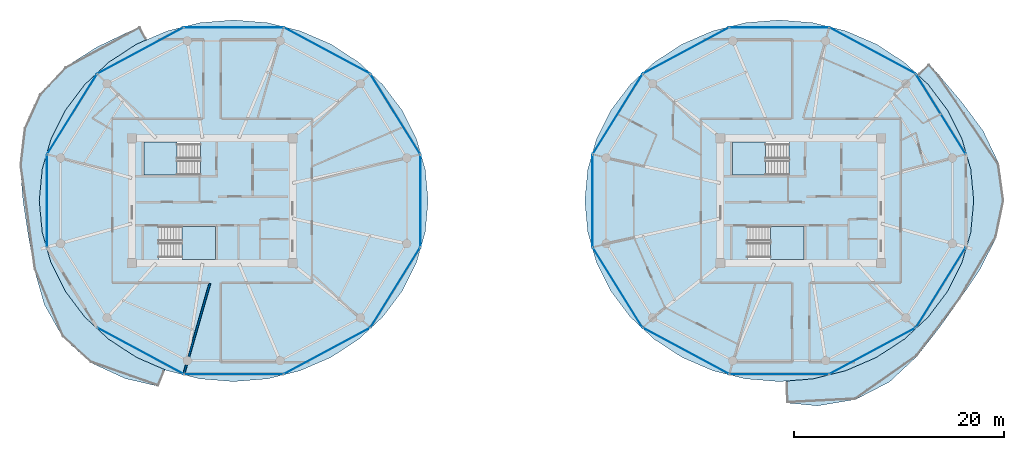
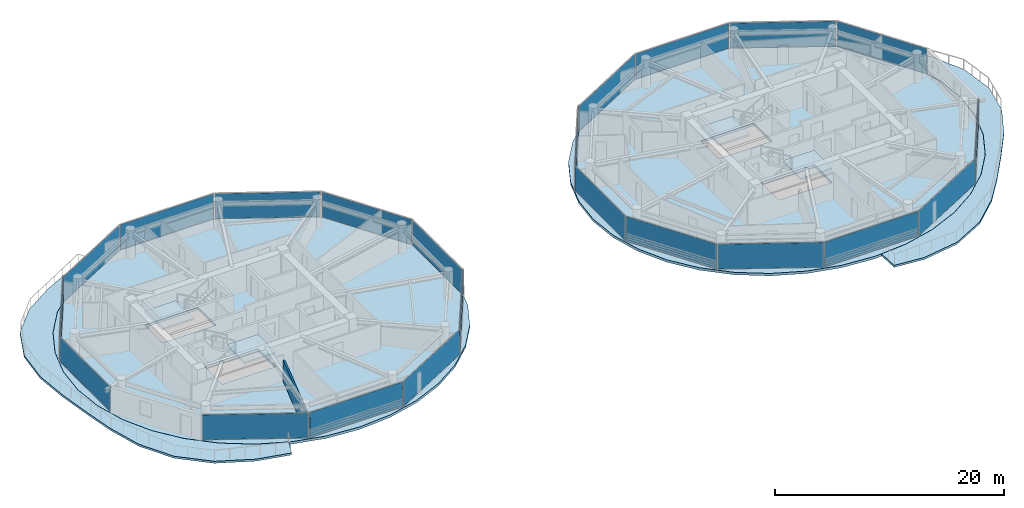
# One storey, part 12 of 23: 22 plates, 8 slabs, 1 wall, 26 elements without a shape of their own.
"""IFC4 building model written with IfcOpenShell, lengths in metres."""

import ifcopenshell
import ifcopenshell.guid

model = None  # the IFC model being written
_history = None  # IfcOwnerHistory: only IFC2X3 demands one
_inside = {}  # id of a spatial element -> (the spatial element, [elements in it])
_under = {}  # id of a project, library or spatial element -> (it, [spatial elements below it])
_declared = {}  # id of a project -> (the project, [libraries it declares])
_typed = {}  # id of a type object -> (the type object, [elements of that type])
_made_of = {}  # id of a material, layer set ... -> (it, [elements and type objects made of it])


def new_model(schema):
    """Start an empty IFC model of exactly this schema.

    Asked for "IFC4X3", IfcOpenShell would pick the latest addendum, in which some entities
    have other attributes; the version numbers below select the first issue.
    IFC2X3 requires an IfcOwnerHistory on every rooted entity: one is made here for all.
    """
    global model, _history
    if schema == "IFC4X3":
        model = ifcopenshell.file(schema_version=(4, 3, 0, 0))
    else:
        model = ifcopenshell.file(schema=schema)
    _inside.clear()
    _under.clear()
    _declared.clear()
    _typed.clear()
    _made_of.clear()
    _history = None
    if model.schema == "IFC2X3":
        org = make("IfcOrganization", Name="unknown")
        user = make(
            "IfcPersonAndOrganization",
            ThePerson=make("IfcPerson", FamilyName="unknown"),
            TheOrganization=org,
        )
        app = make(
            "IfcApplication",
            ApplicationDeveloper=org,
            Version="unknown",
            ApplicationFullName="unknown",
            ApplicationIdentifier="unknown",
        )
        _history = make(
            "IfcOwnerHistory",
            OwningUser=user,
            OwningApplication=app,
            ChangeAction="ADDED",
            CreationDate=0,
        )
    return model


def make(cls, **values):
    """One entity of the class cls with the attributes given. An attribute that is None is left unset."""
    return model.create_entity(
        cls, **{name: value for name, value in values.items() if value is not None}
    )


def rooted(cls, **values):
    """An entity with a GlobalId (a new one), such as an element, a storey or a relation."""
    return make(cls, GlobalId=ifcopenshell.guid.new(), OwnerHistory=_history, **values)


def si_unit(unit_type, name, prefix=None):
    """IfcSIUnit, for example si_unit("LENGTHUNIT", "METRE", prefix="MILLI")."""
    return make("IfcSIUnit", UnitType=unit_type, Prefix=prefix, Name=name)


def assignment(units):
    """IfcUnitAssignment: the units of a project."""
    return None if units is None else make("IfcUnitAssignment", Units=units)


def point(xyz):
    """IfcCartesianPoint."""
    return None if xyz is None else make("IfcCartesianPoint", Coordinates=xyz)


def direction(xyz):
    """IfcDirection."""
    return None if xyz is None else make("IfcDirection", DirectionRatios=xyz)


def frame(location, z_axis=None, x_axis=None):
    """IfcAxis2Placement3D, a coordinate frame: its origin and axes. An axis left out is left unset."""
    return make(
        "IfcAxis2Placement3D",
        Location=point(location),
        Axis=direction(z_axis),
        RefDirection=direction(x_axis),
    )


def frame_2d(location, x_axis=None):
    """IfcAxis2Placement2D, a coordinate frame in the plane: its origin and x axis."""
    return make(
        "IfcAxis2Placement2D", Location=point(location), RefDirection=direction(x_axis)
    )


def origin():
    """The frame at (0, 0, 0) with its axes left unset."""
    return frame((0.0, 0.0, 0.0))


def origin_2d():
    """The frame at (0, 0) in the plane with its x axis left unset."""
    return frame_2d((0.0, 0.0))


def place(relative_to, where):
    """IfcLocalPlacement: puts the frame where relative to a parent placement (None: the world)."""
    return make(
        "IfcLocalPlacement", PlacementRelTo=relative_to, RelativePlacement=where
    )


def context(
    kind, dimensions, precision=None, world=None, true_north=None, identifier=None
):
    """IfcGeometricRepresentationContext, for example the 3D "Model" context."""
    return make(
        "IfcGeometricRepresentationContext",
        ContextIdentifier=identifier,
        ContextType=kind,
        CoordinateSpaceDimension=dimensions,
        Precision=precision,
        WorldCoordinateSystem=world,
        TrueNorth=true_north,
    )


def subcontext(parent, identifier, kind, view, scale=None):
    """IfcGeometricRepresentationSubContext, for example "Body" below "Model"."""
    return make(
        "IfcGeometricRepresentationSubContext",
        ContextIdentifier=identifier,
        ContextType=kind,
        ParentContext=parent,
        TargetScale=scale,
        TargetView=view,
    )


def project(units=None, contexts=None):
    """IfcProject with its units and contexts."""
    return rooted(
        "IfcProject",
        Name="project",
        RepresentationContexts=contexts,
        UnitsInContext=assignment(units),
    )


def spatial(cls, under=None, at=None, **own):
    """A site, building, storey or space (cls), placed at a placement, below another one or the project."""
    s = rooted(cls, ObjectPlacement=at, **own)
    if under is not None:
        _under.setdefault(under.id(), (under, []))[1].append(s)
    return s


def polyline(points):
    """IfcPolyline through the points."""
    return make("IfcPolyline", Points=[point(p) for p in points])


def profile(cls, at=None, kind="AREA", **sizes):
    """A parametric profile (cls). Its sizes go by their IFC names, for example OverallWidth=200.0."""
    return make(cls, ProfileType=kind, Position=at, **sizes)


def rectangle(**sizes):
    """IfcRectangleProfileDef."""
    return profile("IfcRectangleProfileDef", **sizes)


def outline(outer, holes=None, kind="AREA"):
    """IfcArbitraryClosedProfileDef: a profile drawn as a closed curve; with holes, ...WithVoids."""
    if holes is None:
        return make("IfcArbitraryClosedProfileDef", ProfileType=kind, OuterCurve=outer)
    return make(
        "IfcArbitraryProfileDefWithVoids",
        ProfileType=kind,
        OuterCurve=outer,
        InnerCurves=holes,
    )


def extrude(swept, where, along, depth):
    """IfcExtrudedAreaSolid: the profile swept, set in the frame where, extruded along a direction by depth."""
    return make(
        "IfcExtrudedAreaSolid",
        SweptArea=swept,
        Position=where,
        ExtrudedDirection=direction(along),
        Depth=depth,
    )


def shape(context_of_items, identifier, shape_type, items):
    """IfcShapeRepresentation: the items that make up one representation, for example the "Body"."""
    return make(
        "IfcShapeRepresentation",
        ContextOfItems=context_of_items,
        RepresentationIdentifier=identifier,
        RepresentationType=shape_type,
        Items=items,
    )


def source(mapping_origin, context_of_items, identifier, shape_type, items):
    """IfcRepresentationMap: a shape defined once, which mapped items show again and again."""
    return make(
        "IfcRepresentationMap",
        MappingOrigin=mapping_origin,
        MappedRepresentation=shape(context_of_items, identifier, shape_type, items),
    )


def transform(
    local_origin,
    x_axis=None,
    y_axis=None,
    z_axis=None,
    scale=None,
    scale2=None,
    scale3=None,
    uniform=True,
):
    """IfcCartesianTransformationOperator3D, or its non-uniform kind. x_axis, y_axis, z_axis: its Axis1, 2, 3."""
    if uniform:
        return make(
            "IfcCartesianTransformationOperator3D",
            Axis1=direction(x_axis),
            Axis2=direction(y_axis),
            LocalOrigin=point(local_origin),
            Scale=scale,
            Axis3=direction(z_axis),
        )
    return make(
        "IfcCartesianTransformationOperator3DnonUniform",
        Axis1=direction(x_axis),
        Axis2=direction(y_axis),
        LocalOrigin=point(local_origin),
        Scale=scale,
        Axis3=direction(z_axis),
        Scale2=scale2,
        Scale3=scale3,
    )


def mapped(mapping_source, mapping_target):
    """IfcMappedItem: shows the shape of a source again, moved by a transform."""
    return make(
        "IfcMappedItem", MappingSource=mapping_source, MappingTarget=mapping_target
    )


def material(Name=None, Category=None):
    """IfcMaterial."""
    return make("IfcMaterial", Name=Name, Category=Category)


def layer(
    of_material, thickness, ventilated=None, Name=None, Category=None, Priority=None
):
    """IfcMaterialLayer: one layer of a wall or slab, of a material (None: an air gap)."""
    return make(
        "IfcMaterialLayer",
        Material=of_material,
        LayerThickness=thickness,
        IsVentilated=ventilated,
        Name=Name,
        Category=Category,
        Priority=Priority,
    )


def layer_set(layers, Name=None):
    """IfcMaterialLayerSet."""
    return make("IfcMaterialLayerSet", MaterialLayers=layers, LayerSetName=Name)


def made_of(thing, what):
    """Note that an element or type object is made of a material, layer set ...; save() writes the relation."""
    if what is not None:
        _made_of.setdefault(what.id(), (what, []))[1].append(thing)
    return thing


def type_object(cls, material=None, **own):
    """A type object (cls), such as IfcWallType, which elements share."""
    return made_of(rooted(cls, **own), material)


def type_shapes(of_type, sources):
    """Give a type object the sources (RepresentationMaps) that its elements show as mapped items."""
    of_type.RepresentationMaps = sources


def element(
    cls,
    number,
    at=None,
    inside=None,
    cuts=None,
    type_object=None,
    material=None,
    context=None,
    identifier="Body",
    shape_type=None,
    held_by="IfcProductDefinitionShape",
    body=None,
    shapes=None,
    **own,
):
    """One element of the class cls, such as IfcWall. Its Tag is "e" and its number.

    at: its placement. inside: the storey or other place that contains it. cuts: it is an
    opening in that element (IfcRelVoidsElement). A single representation is given by context,
    identifier, shape_type and body (its items); several are given by shapes. held_by: the class
    of the entity that holds the representations. save() writes the other relations.
    """
    e = rooted(cls, Tag="e%d" % number, ObjectPlacement=at, **own)
    if body is not None:
        shapes = [shape(context, identifier, shape_type, body)]
    if shapes is not None:
        e.Representation = make(held_by, Representations=shapes)
    if inside is not None:
        _inside.setdefault(inside.id(), (inside, []))[1].append(e)
    if cuts is not None:
        rooted(
            "IfcRelVoidsElement", RelatingBuildingElement=cuts, RelatedOpeningElement=e
        )
    if type_object is not None:
        _typed.setdefault(type_object.id(), (type_object, []))[1].append(e)
    return made_of(e, material)


def aggregate(whole, parts):
    """IfcRelAggregates: a whole, such as a stair, and the parts it consists of."""
    return rooted("IfcRelAggregates", RelatingObject=whole, RelatedObjects=parts)


def save(model, path):
    """Write the relations noted so far, then the file.

    IfcRelAggregates (storeys below a building ...), IfcRelContainedInSpatialStructure (elements
    in a storey), IfcRelDefinesByType, IfcRelAssociatesMaterial and IfcRelDeclares: one each for
    every whole, place, type object, material and project.
    """
    for whole, parts in _under.values():
        aggregate(whole, parts)
    for where, things in _inside.values():
        rooted(
            "IfcRelContainedInSpatialStructure",
            RelatedElements=things,
            RelatingStructure=where,
        )
    for kind, things in _typed.values():
        rooted("IfcRelDefinesByType", RelatedObjects=things, RelatingType=kind)
    for what, things in _made_of.values():
        rooted("IfcRelAssociatesMaterial", RelatedObjects=things, RelatingMaterial=what)
    for by, libraries in _declared.values():
        rooted("IfcRelDeclares", RelatingContext=by, RelatedDefinitions=libraries)
    model.write(path)


model = new_model("IFC4")

# Units and contexts
model_context = context("Model", 3, precision=1e-05, world=origin(), true_north=direction((0.0, 1.0)))
body_context = subcontext(model_context, "Body", "Model", "MODEL_VIEW")
ifc_project = project(units=[si_unit("LENGTHUNIT", "METRE"), si_unit("AREAUNIT", "SQUARE_METRE"), si_unit("VOLUMEUNIT", "CUBIC_METRE"), si_unit("PLANEANGLEUNIT", "RADIAN"), si_unit("MASSUNIT", "GRAM", prefix="KILO")], contexts=[model_context])

# Site, building, storey
site_placement = place(None, origin())
site = spatial("IfcSite", under=ifc_project, at=site_placement, CompositionType="ELEMENT")
building_placement = place(site_placement, origin())
building = spatial("IfcBuilding", under=site, at=building_placement, Name="Norrkilde Senior Care Towers", CompositionType="ELEMENT")
storey_placement = place(building_placement, frame((0.0, 0.0, 93.199951171875)))
storey = spatial("IfcBuildingStorey", under=building, at=storey_placement, Name="L28", CompositionType="ELEMENT", Elevation=93.199951171875)

# Slabs
ifc_material_1 = material(Name="Concrete C50/60", Category="concrete")
ifc_layer_1 = layer(ifc_material_1, 0.215087890625)
ifc_layer_set_1 = layer_set([ifc_layer_1], Name="Concrete C50/60")
slab_type_1 = type_object("IfcSlabType", Name="Sinusoidal Balcony Ribbon Slab 215", PredefinedType="FLOOR", material=ifc_layer_set_1)
slab_1_placement = place(storey_placement, frame((0.0, 0.0, -0.21484375)))
element("IfcSlab", 1, at=slab_1_placement, inside=storey, type_object=slab_type_1, Name="L28 Drum W Swirling Senior Balcony 1", PredefinedType="FLOOR", context=body_context, shape_type="SweptSolid", body=[
    extrude(outline(polyline([(-39.569580078125, -15.390869140625), (-42.232666015625, -12.961181640625), (-43.980224609375, -9.847412109375), (-44.9306640625, -6.507568359375), (-45.502685546875, -3.23974609375), (-45.9990234375, 0.0), (-46.283203125, 3.3876953125), (-45.8818359375, 6.880126953125), (-44.420654296875, 10.120849609375), (-41.969482421875, 12.723388671875), (-38.969970703125, 14.62255859375), (-35.8564453125, 16.118408203125), (-34.868408203125, 16.574462890625), (-34.200927734375, 15.334228515625), (-35.202392578125, 14.89990234375), (-37.8447265625, 13.1796875), (-40.125732421875, 11.05908203125), (-41.975830078125, 8.6025390625), (-43.339111328125, 5.884521484375), (-44.173828125, 2.987548828125), (-44.455078125, 0.0), (-44.173828125, -2.987548828125), (-43.339111328125, -5.884521484375), (-41.975830078125, -8.6025390625), (-40.125732421875, -11.05908203125), (-37.8447265625, -13.1796875), (-35.202392578125, -14.89990234375), (-32.47021484375, -16.08447265625), (-33.106201171875, -17.6533203125), (-36.28125, -16.909912109375), (-39.569580078125, -15.390869140625)])), origin(), (0.0, 0.0, 1.0), 0.21484375),
])
slab_2_placement = place(storey_placement, frame((0.0, 0.0, -0.21484375)))
element("IfcSlab", 2, at=slab_2_placement, inside=storey, type_object=slab_type_1, Name="L28 Drum E Swirling Senior Balcony 1", PredefinedType="FLOOR", context=body_context, shape_type="SweptSolid", body=[
    extrude(outline(polyline([(43.150634765625, -9.332275390625), (41.21142578125, -12.039306640625), (39.082275390625, -14.766357421875), (36.4501953125, -17.224853515625), (33.206787109375, -18.9091796875), (29.58349609375, -19.506591796875), (26.6591796875, -19.230712890625), (26.58251953125, -17.153564453125), (29.163330078125, -16.943603515625), (32.279052734375, -16.16748046875), (35.202392578125, -14.89990234375), (37.8447265625, -13.1796875), (40.125732421875, -11.05908203125), (41.975830078125, -8.6025390625), (43.339111328125, -5.884521484375), (44.173828125, -2.987548828125), (44.455078125, 0.0), (44.173828125, 2.987548828125), (43.339111328125, 5.884521484375), (41.975830078125, 8.6025390625), (40.125732421875, 11.05908203125), (39.09326171875, 12.01904296875), (40.200439453125, 13.03125), (41.129638671875, 11.965576171875), (43.287353515625, 9.417236328125), (45.33837890625, 6.667236328125), (46.856689453125, 3.49658203125), (47.3330078125, 0.0), (46.6142578125, -3.450439453125), (45.042724609375, -6.551513671875), (43.150634765625, -9.332275390625)])), origin(), (0.0, 0.0, 1.0), 0.21484375),
])

# Stair, slab
ifc_material_2 = material(Name="Concrete C45/55", Category="concrete")
stair_type = type_object("IfcStairType", Name="Core Protected Dogleg Stair Typical 3050", PredefinedType="HALF_TURN_STAIR", material=ifc_material_2)
stair_1_placement = place(storey_placement, origin())
stair_1 = element("IfcStair", 3, at=stair_1_placement, inside=storey, type_object=stair_type, Name="L28 Protected Core Stair W1", PredefinedType="HALF_TURN_STAIR")
ifc_layer_2 = layer(ifc_material_2, 0.199951171875)
ifc_layer_set_2 = layer_set([ifc_layer_2], Name="Concrete C45/55")
slab_type_2 = type_object("IfcSlabType", Name="Stair Landing Slab 200", PredefinedType="LANDING", material=ifc_layer_set_2)
slab_3_placement = place(storey_placement, frame((0.0, 0.0, 1.324951171875)))
slab_3 = element("IfcSlab", 4, at=slab_3_placement, type_object=slab_type_2, Name="ST-W1 landing 1", PredefinedType="LANDING", context=body_context, shape_type="SweptSolid", body=[
    extrude(outline(polyline([(-31.340087890625, 5.590087890625), (-34.5, 5.590087890625), (-34.5, 2.449951171875), (-31.340087890625, 2.449951171875), (-31.340087890625, 5.590087890625)])), origin(), (0.0, 0.0, 1.0), 0.2001953125),
])
aggregate(stair_1, [slab_3])

stair_2_placement = place(storey_placement, origin())
stair_2 = element("IfcStair", 5, at=stair_2_placement, inside=storey, type_object=stair_type, Name="L28 Protected Core Stair W2", PredefinedType="HALF_TURN_STAIR")
slab_4_placement = place(storey_placement, frame((0.0, 0.0, 1.324951171875)))
slab_4 = element("IfcSlab", 6, at=slab_4_placement, type_object=slab_type_2, Name="ST-W2 landing 1", PredefinedType="LANDING", context=body_context, shape_type="SweptSolid", body=[
    extrude(outline(polyline([(-30.860107421875, -5.590087890625), (-27.699951171875, -5.590087890625), (-27.699951171875, -2.449951171875), (-30.860107421875, -2.449951171875), (-30.860107421875, -5.590087890625)])), origin(), (0.0, 0.0, 1.0), 0.2001953125),
])
aggregate(stair_2, [slab_4])

stair_3_placement = place(storey_placement, origin())
stair_3 = element("IfcStair", 7, at=stair_3_placement, inside=storey, type_object=stair_type, Name="L28 Protected Core Stair E1", PredefinedType="HALF_TURN_STAIR")
slab_5_placement = place(storey_placement, frame((0.0, 0.0, 1.324951171875)))
slab_5 = element("IfcSlab", 8, at=slab_5_placement, type_object=slab_type_2, Name="ST-E1 landing 1", PredefinedType="LANDING", context=body_context, shape_type="SweptSolid", body=[
    extrude(outline(polyline([(24.659912109375, 5.590087890625), (21.5, 5.590087890625), (21.5, 2.449951171875), (24.659912109375, 2.449951171875), (24.659912109375, 5.590087890625)])), origin(), (0.0, 0.0, 1.0), 0.2001953125),
])
aggregate(stair_3, [slab_5])

stair_4_placement = place(storey_placement, origin())
stair_4 = element("IfcStair", 9, at=stair_4_placement, inside=storey, type_object=stair_type, Name="L28 Protected Core Stair E2", PredefinedType="HALF_TURN_STAIR")
slab_6_placement = place(storey_placement, frame((0.0, 0.0, 1.324951171875)))
slab_6 = element("IfcSlab", 10, at=slab_6_placement, type_object=slab_type_2, Name="ST-E2 landing 1", PredefinedType="LANDING", context=body_context, shape_type="SweptSolid", body=[
    extrude(outline(polyline([(25.139892578125, -5.590087890625), (28.300048828125, -5.590087890625), (28.300048828125, -2.449951171875), (25.139892578125, -2.449951171875), (25.139892578125, -5.590087890625)])), origin(), (0.0, 0.0, 1.0), 0.2001953125),
])
aggregate(stair_4, [slab_6])

# Slabs
ifc_layer_3 = layer(ifc_material_1, 0.260009765625)
ifc_layer_set_3 = layer_set([ifc_layer_3], Name="Concrete C50/60")
slab_type_3 = type_object("IfcSlabType", Name="Tower Care Floor Slab 260", PredefinedType="FLOOR", material=ifc_layer_set_3)
slab_7_placement = place(storey_placement, frame((0.0, 0.0, -0.260009765625)))
element("IfcSlab", 11, at=slab_7_placement, inside=storey, type_object=slab_type_3, Name="L28 Drum W Structural Floor Slab", PredefinedType="FLOOR", context=body_context, shape_type="SweptSolid", body=[
    extrude(outline(polyline([(-8.565673828125, -5.8828125), (-9.928466796875, -8.60009765625), (-11.778076171875, -11.055908203125), (-14.058349609375, -13.176025390625), (-16.699951171875, -14.895751953125), (-19.62255859375, -16.16259765625), (-22.737548828125, -16.938720703125), (-25.949951171875, -17.199951171875), (-29.16259765625, -16.938720703125), (-32.27734375, -16.16259765625), (-35.199951171875, -14.895751953125), (-37.841552734375, -13.176025390625), (-40.121826171875, -11.055908203125), (-41.971435546875, -8.60009765625), (-43.334228515625, -5.8828125), (-44.1689453125, -2.98681640625), (-44.449951171875, 0.0), (-44.1689453125, 2.98681640625), (-43.334228515625, 5.8828125), (-41.971435546875, 8.60009765625), (-40.121826171875, 11.055908203125), (-37.841552734375, 13.176025390625), (-35.199951171875, 14.895751953125), (-32.27734375, 16.16259765625), (-29.16259765625, 16.938720703125), (-25.949951171875, 17.199951171875), (-22.737548828125, 16.938720703125), (-19.62255859375, 16.16259765625), (-16.699951171875, 14.895751953125), (-14.058349609375, 13.176025390625), (-11.778076171875, 11.055908203125), (-9.928466796875, 8.60009765625), (-8.565673828125, 5.8828125), (-7.73095703125, 2.98681640625), (-7.449951171875, 0.0), (-7.73095703125, -2.98681640625), (-8.565673828125, -5.8828125)]), holes=[polyline([(-34.48193359375, 2.468017578125), (-29.117919921875, 2.468017578125), (-29.117919921875, 5.590087890625), (-34.48193359375, 5.590087890625), (-34.48193359375, 2.468017578125)]), polyline([(-27.718017578125, -5.590087890625), (-27.718017578125, -2.468017578125), (-33.08203125, -2.468017578125), (-33.08203125, -5.590087890625), (-27.718017578125, -5.590087890625)])]), origin(), (0.0, 0.0, 1.0), 0.260009765625),
])
slab_8_placement = place(storey_placement, frame((0.0, 0.0, -0.260009765625)))
element("IfcSlab", 12, at=slab_8_placement, inside=storey, type_object=slab_type_3, Name="L28 Drum E Structural Floor Slab", PredefinedType="FLOOR", context=body_context, shape_type="SweptSolid", body=[
    extrude(outline(polyline([(43.334228515625, -5.8828125), (41.971435546875, -8.60009765625), (40.121826171875, -11.055908203125), (37.841552734375, -13.176025390625), (35.199951171875, -14.895751953125), (32.27734375, -16.16259765625), (29.16259765625, -16.938720703125), (25.949951171875, -17.199951171875), (22.737548828125, -16.938720703125), (19.62255859375, -16.16259765625), (16.699951171875, -14.895751953125), (14.058349609375, -13.176025390625), (11.778076171875, -11.055908203125), (9.928466796875, -8.60009765625), (8.565673828125, -5.8828125), (7.73095703125, -2.98681640625), (7.449951171875, 0.0), (7.73095703125, 2.98681640625), (8.565673828125, 5.8828125), (9.928466796875, 8.60009765625), (11.778076171875, 11.055908203125), (14.058349609375, 13.176025390625), (16.699951171875, 14.895751953125), (19.62255859375, 16.16259765625), (22.737548828125, 16.938720703125), (25.949951171875, 17.199951171875), (29.16259765625, 16.938720703125), (32.27734375, 16.16259765625), (35.199951171875, 14.895751953125), (37.841552734375, 13.176025390625), (40.121826171875, 11.055908203125), (41.971435546875, 8.60009765625), (43.334228515625, 5.8828125), (44.1689453125, 2.98681640625), (44.449951171875, 0.0), (44.1689453125, -2.98681640625), (43.334228515625, -5.8828125)]), holes=[polyline([(21.51806640625, 2.468017578125), (26.882080078125, 2.468017578125), (26.882080078125, 5.590087890625), (21.51806640625, 5.590087890625), (21.51806640625, 2.468017578125)]), polyline([(28.281982421875, -5.590087890625), (28.281982421875, -2.468017578125), (22.91796875, -2.468017578125), (22.91796875, -5.590087890625), (28.281982421875, -5.590087890625)])]), origin(), (0.0, 0.0, 1.0), 0.260009765625),
])

# Curtain wall, plate
ifc_material_3 = material(Name="Triple Low-E Insulated Glazing", Category="glass")
ifc_layer_4 = layer(ifc_material_3, 0.195068359375)
ifc_layer_set_4 = layer_set([ifc_layer_4], Name="Triple Low-E Insulated Glazing")
curtain_wall_type = type_object("IfcCurtainWallType", Name="CW3 Zone 2 Assisted Living Curtain Wall", PredefinedType="NOTDEFINED", material=ifc_layer_set_4)
curtain_wall_1_placement = place(storey_placement, origin())
curtain_wall_1 = element("IfcCurtainWall", 13, at=curtain_wall_1_placement, inside=storey, type_object=curtain_wall_type, Name="L28 Drum W Curtain Wall 00", PredefinedType="NOTDEFINED")
ifc_layer_5 = layer(ifc_material_3, 0.035888671875)
ifc_layer_set_5 = layer_set([ifc_layer_5], Name="Triple Low-E Insulated Glazing")
plate_type = type_object("IfcPlateType", Name="Triple Low-E Vision Curtain Panel 36", PredefinedType="CURTAIN_PANEL", material=ifc_layer_set_5)
shared_shape_1 = source(origin(), body_context, "Body", "SweptSolid", [
    extrude(rectangle(XDim=8.88427734375, YDim=0.035888671875, at=origin_2d()), origin(), (0.0, 0.0, 1.0), 2.669921875),
])
plate_1_placement = place(storey_placement, frame((-10.574951171875, 8.2490234375, 0.06005859375), z_axis=(0.0, 0.0, 1.0), x_axis=(0.527733228002, -0.849410171862, 0.0)))
plate_1 = element("IfcPlate", 14, at=plate_1_placement, type_object=plate_type, Name="CW-3 panel 1.1", PredefinedType="CURTAIN_PANEL", context=body_context, shape_type="MappedRepresentation", body=[
    mapped(shared_shape_1, transform((0.0, 0.0, 0.0), x_axis=(1.0, 0.0, 0.0), y_axis=(0.0, 1.0, 0.0), z_axis=(0.0, 0.0, 1.0), scale=1.0)),
])
aggregate(curtain_wall_1, [plate_1])

curtain_wall_2_placement = place(storey_placement, origin())
curtain_wall_2 = element("IfcCurtainWall", 15, at=curtain_wall_2_placement, inside=storey, type_object=curtain_wall_type, Name="L28 Drum W Curtain Wall 04", PredefinedType="NOTDEFINED")
plate_2_placement = place(storey_placement, frame((-41.3251953125, 8.2490234375, 0.06005859375), z_axis=(0.0, 0.0, 1.0), x_axis=(0.527733228002, 0.849410171862, 0.0)))
plate_2 = element("IfcPlate", 16, at=plate_2_placement, type_object=plate_type, Name="CW-3 panel 1.1", PredefinedType="CURTAIN_PANEL", context=body_context, shape_type="MappedRepresentation", body=[
    mapped(shared_shape_1, transform((0.0, 0.0, 0.0), x_axis=(1.0, 0.0, 0.0), y_axis=(0.0, 1.0, 0.0), z_axis=(0.0, 0.0, 1.0), scale=1.0)),
])
aggregate(curtain_wall_2, [plate_2])

curtain_wall_3_placement = place(storey_placement, origin())
curtain_wall_3 = element("IfcCurtainWall", 17, at=curtain_wall_3_placement, inside=storey, type_object=curtain_wall_type, Name="L28 Drum W Curtain Wall 10", PredefinedType="NOTDEFINED")
plate_3_placement = place(storey_placement, frame((-10.574951171875, -8.2490234375, 0.06005859375), z_axis=(0.0, 0.0, 1.0), x_axis=(-0.527733228002, -0.849410171862, 0.0)))
plate_3 = element("IfcPlate", 18, at=plate_3_placement, type_object=plate_type, Name="CW-3 panel 1.1", PredefinedType="CURTAIN_PANEL", context=body_context, shape_type="MappedRepresentation", body=[
    mapped(shared_shape_1, transform((0.0, 0.0, 0.0), x_axis=(1.0, 0.0, 0.0), y_axis=(0.0, 1.0, 0.0), z_axis=(0.0, 0.0, 1.0), scale=1.0)),
])
aggregate(curtain_wall_3, [plate_3])

curtain_wall_4_placement = place(storey_placement, origin())
curtain_wall_4 = element("IfcCurtainWall", 19, at=curtain_wall_4_placement, inside=storey, type_object=curtain_wall_type, Name="L28 Drum E Curtain Wall 00", PredefinedType="NOTDEFINED")
plate_4_placement = place(storey_placement, frame((41.3251953125, 8.2490234375, 0.06005859375), z_axis=(0.0, 0.0, 1.0), x_axis=(0.527733228002, -0.849410171862, 0.0)))
plate_4 = element("IfcPlate", 20, at=plate_4_placement, type_object=plate_type, Name="CW-3 panel 1.1", PredefinedType="CURTAIN_PANEL", context=body_context, shape_type="MappedRepresentation", body=[
    mapped(shared_shape_1, transform((0.0, 0.0, 0.0), x_axis=(1.0, 0.0, 0.0), y_axis=(0.0, 1.0, 0.0), z_axis=(0.0, 0.0, 1.0), scale=1.0)),
])
aggregate(curtain_wall_4, [plate_4])

curtain_wall_5_placement = place(storey_placement, origin())
curtain_wall_5 = element("IfcCurtainWall", 21, at=curtain_wall_5_placement, inside=storey, type_object=curtain_wall_type, Name="L28 Drum E Curtain Wall 04", PredefinedType="NOTDEFINED")
plate_5_placement = place(storey_placement, frame((10.574951171875, 8.2490234375, 0.06005859375), z_axis=(0.0, 0.0, 1.0), x_axis=(0.527733228002, 0.849410171862, 0.0)))
plate_5 = element("IfcPlate", 22, at=plate_5_placement, type_object=plate_type, Name="CW-3 panel 1.1", PredefinedType="CURTAIN_PANEL", context=body_context, shape_type="MappedRepresentation", body=[
    mapped(shared_shape_1, transform((0.0, 0.0, 0.0), x_axis=(1.0, 0.0, 0.0), y_axis=(0.0, 1.0, 0.0), z_axis=(0.0, 0.0, 1.0), scale=1.0)),
])
aggregate(curtain_wall_5, [plate_5])

curtain_wall_6_placement = place(storey_placement, origin())
curtain_wall_6 = element("IfcCurtainWall", 23, at=curtain_wall_6_placement, inside=storey, type_object=curtain_wall_type, Name="L28 Drum E Curtain Wall 06", PredefinedType="NOTDEFINED")
plate_6_placement = place(storey_placement, frame((10.574951171875, -8.2490234375, 0.06005859375), z_axis=(0.0, 0.0, 1.0), x_axis=(-0.527733228002, 0.849410171862, 0.0)))
plate_6 = element("IfcPlate", 24, at=plate_6_placement, type_object=plate_type, Name="CW-3 panel 1.1", PredefinedType="CURTAIN_PANEL", context=body_context, shape_type="MappedRepresentation", body=[
    mapped(shared_shape_1, transform((0.0, 0.0, 0.0), x_axis=(1.0, 0.0, 0.0), y_axis=(0.0, 1.0, 0.0), z_axis=(0.0, 0.0, 1.0), scale=1.0)),
])
aggregate(curtain_wall_6, [plate_6])

curtain_wall_7_placement = place(storey_placement, origin())
curtain_wall_7 = element("IfcCurtainWall", 25, at=curtain_wall_7_placement, inside=storey, type_object=curtain_wall_type, Name="L28 Drum E Curtain Wall 10", PredefinedType="NOTDEFINED")
plate_7_placement = place(storey_placement, frame((41.3251953125, -8.2490234375, 0.06005859375), z_axis=(0.0, 0.0, 1.0), x_axis=(-0.527733228002, -0.849410171862, 0.0)))
plate_7 = element("IfcPlate", 26, at=plate_7_placement, type_object=plate_type, Name="CW-3 panel 1.1", PredefinedType="CURTAIN_PANEL", context=body_context, shape_type="MappedRepresentation", body=[
    mapped(shared_shape_1, transform((0.0, 0.0, 0.0), x_axis=(1.0, 0.0, 0.0), y_axis=(0.0, 1.0, 0.0), z_axis=(0.0, 0.0, 1.0), scale=1.0)),
])
aggregate(curtain_wall_7, [plate_7])

curtain_wall_8_placement = place(storey_placement, origin())
curtain_wall_8 = element("IfcCurtainWall", 27, at=curtain_wall_8_placement, inside=storey, type_object=curtain_wall_type, Name="L28 Drum W Curtain Wall 01", PredefinedType="NOTDEFINED")
shared_shape_2 = source(origin(), body_context, "Body", "SweptSolid", [
    extrude(rectangle(XDim=9.220458984375, YDim=0.035888671875, at=origin_2d()), origin(), (0.0, 0.0, 1.0), 2.669921875),
])
plate_8_placement = place(storey_placement, frame((-17.0732421875, 14.28759765625, 0.06005859375), z_axis=(0.0, 0.0, 1.0), x_axis=(0.881186184668, -0.472769402511, 0.0)))
plate_8 = element("IfcPlate", 28, at=plate_8_placement, type_object=plate_type, Name="CW-3 panel 1.1", PredefinedType="CURTAIN_PANEL", context=body_context, shape_type="MappedRepresentation", body=[
    mapped(shared_shape_2, transform((0.0, 0.0, 0.0), x_axis=(1.0, 0.0, 0.0), y_axis=(0.0, 1.0, 0.0), z_axis=(0.0, 0.0, 1.0), scale=1.0)),
])
aggregate(curtain_wall_8, [plate_8])

curtain_wall_9_placement = place(storey_placement, origin())
curtain_wall_9 = element("IfcCurtainWall", 29, at=curtain_wall_9_placement, inside=storey, type_object=curtain_wall_type, Name="L28 Drum W Curtain Wall 03", PredefinedType="NOTDEFINED")
plate_9_placement = place(storey_placement, frame((-34.826904296875, 14.28759765625, 0.06005859375), z_axis=(0.0, 0.0, 1.0), x_axis=(0.881186184668, 0.472769402511, 0.0)))
plate_9 = element("IfcPlate", 30, at=plate_9_placement, type_object=plate_type, Name="CW-3 panel 1.1", PredefinedType="CURTAIN_PANEL", context=body_context, shape_type="MappedRepresentation", body=[
    mapped(shared_shape_2, transform((0.0, 0.0, 0.0), x_axis=(1.0, 0.0, 0.0), y_axis=(0.0, 1.0, 0.0), z_axis=(0.0, 0.0, 1.0), scale=1.0)),
])
aggregate(curtain_wall_9, [plate_9])

curtain_wall_10_placement = place(storey_placement, origin())
curtain_wall_10 = element("IfcCurtainWall", 31, at=curtain_wall_10_placement, inside=storey, type_object=curtain_wall_type, Name="L28 Drum W Curtain Wall 07", PredefinedType="NOTDEFINED")
plate_10_placement = place(storey_placement, frame((-34.826904296875, -14.28759765625, 0.06005859375), z_axis=(0.0, 0.0, 1.0), x_axis=(-0.881186184668, 0.472769402511, 0.0)))
plate_10 = element("IfcPlate", 32, at=plate_10_placement, type_object=plate_type, Name="CW-3 panel 1.1", PredefinedType="CURTAIN_PANEL", context=body_context, shape_type="MappedRepresentation", body=[
    mapped(shared_shape_2, transform((0.0, 0.0, 0.0), x_axis=(1.0, 0.0, 0.0), y_axis=(0.0, 1.0, 0.0), z_axis=(0.0, 0.0, 1.0), scale=1.0)),
])
aggregate(curtain_wall_10, [plate_10])

curtain_wall_11_placement = place(storey_placement, origin())
curtain_wall_11 = element("IfcCurtainWall", 33, at=curtain_wall_11_placement, inside=storey, type_object=curtain_wall_type, Name="L28 Drum W Curtain Wall 09", PredefinedType="NOTDEFINED")
plate_11_placement = place(storey_placement, frame((-17.0732421875, -14.28759765625, 0.06005859375), z_axis=(0.0, 0.0, 1.0), x_axis=(-0.881186184668, -0.472769402511, 0.0)))
plate_11 = element("IfcPlate", 34, at=plate_11_placement, type_object=plate_type, Name="CW-3 panel 1.1", PredefinedType="CURTAIN_PANEL", context=body_context, shape_type="MappedRepresentation", body=[
    mapped(shared_shape_2, transform((0.0, 0.0, 0.0), x_axis=(1.0, 0.0, 0.0), y_axis=(0.0, 1.0, 0.0), z_axis=(0.0, 0.0, 1.0), scale=1.0)),
])
aggregate(curtain_wall_11, [plate_11])

curtain_wall_12_placement = place(storey_placement, origin())
curtain_wall_12 = element("IfcCurtainWall", 35, at=curtain_wall_12_placement, inside=storey, type_object=curtain_wall_type, Name="L28 Drum E Curtain Wall 01", PredefinedType="NOTDEFINED")
plate_12_placement = place(storey_placement, frame((34.826904296875, 14.28759765625, 0.06005859375), z_axis=(0.0, 0.0, 1.0), x_axis=(0.881186184668, -0.472769402511, 0.0)))
plate_12 = element("IfcPlate", 36, at=plate_12_placement, type_object=plate_type, Name="CW-3 panel 1.1", PredefinedType="CURTAIN_PANEL", context=body_context, shape_type="MappedRepresentation", body=[
    mapped(shared_shape_2, transform((0.0, 0.0, 0.0), x_axis=(1.0, 0.0, 0.0), y_axis=(0.0, 1.0, 0.0), z_axis=(0.0, 0.0, 1.0), scale=1.0)),
])
aggregate(curtain_wall_12, [plate_12])

curtain_wall_13_placement = place(storey_placement, origin())
curtain_wall_13 = element("IfcCurtainWall", 37, at=curtain_wall_13_placement, inside=storey, type_object=curtain_wall_type, Name="L28 Drum E Curtain Wall 03", PredefinedType="NOTDEFINED")
plate_13_placement = place(storey_placement, frame((17.0732421875, 14.28759765625, 0.06005859375), z_axis=(0.0, 0.0, 1.0), x_axis=(0.881186184668, 0.472769402511, 0.0)))
plate_13 = element("IfcPlate", 38, at=plate_13_placement, type_object=plate_type, Name="CW-3 panel 1.1", PredefinedType="CURTAIN_PANEL", context=body_context, shape_type="MappedRepresentation", body=[
    mapped(shared_shape_2, transform((0.0, 0.0, 0.0), x_axis=(1.0, 0.0, 0.0), y_axis=(0.0, 1.0, 0.0), z_axis=(0.0, 0.0, 1.0), scale=1.0)),
])
aggregate(curtain_wall_13, [plate_13])

curtain_wall_14_placement = place(storey_placement, origin())
curtain_wall_14 = element("IfcCurtainWall", 39, at=curtain_wall_14_placement, inside=storey, type_object=curtain_wall_type, Name="L28 Drum E Curtain Wall 07", PredefinedType="NOTDEFINED")
plate_14_placement = place(storey_placement, frame((17.0732421875, -14.28759765625, 0.06005859375), z_axis=(0.0, 0.0, 1.0), x_axis=(-0.881186184668, 0.472769402511, 0.0)))
plate_14 = element("IfcPlate", 40, at=plate_14_placement, type_object=plate_type, Name="CW-3 panel 1.1", PredefinedType="CURTAIN_PANEL", context=body_context, shape_type="MappedRepresentation", body=[
    mapped(shared_shape_2, transform((0.0, 0.0, 0.0), x_axis=(1.0, 0.0, 0.0), y_axis=(0.0, 1.0, 0.0), z_axis=(0.0, 0.0, 1.0), scale=1.0)),
])
aggregate(curtain_wall_14, [plate_14])

curtain_wall_15_placement = place(storey_placement, origin())
curtain_wall_15 = element("IfcCurtainWall", 41, at=curtain_wall_15_placement, inside=storey, type_object=curtain_wall_type, Name="L28 Drum E Curtain Wall 09", PredefinedType="NOTDEFINED")
plate_15_placement = place(storey_placement, frame((34.826904296875, -14.28759765625, 0.06005859375), z_axis=(0.0, 0.0, 1.0), x_axis=(-0.881186184668, -0.472769402511, 0.0)))
plate_15 = element("IfcPlate", 42, at=plate_15_placement, type_object=plate_type, Name="CW-3 panel 1.1", PredefinedType="CURTAIN_PANEL", context=body_context, shape_type="MappedRepresentation", body=[
    mapped(shared_shape_2, transform((0.0, 0.0, 0.0), x_axis=(1.0, 0.0, 0.0), y_axis=(0.0, 1.0, 0.0), z_axis=(0.0, 0.0, 1.0), scale=1.0)),
])
aggregate(curtain_wall_15, [plate_15])

curtain_wall_16_placement = place(storey_placement, origin())
curtain_wall_16 = element("IfcCurtainWall", 43, at=curtain_wall_16_placement, inside=storey, type_object=curtain_wall_type, Name="L28 Drum W Curtain Wall 02", PredefinedType="NOTDEFINED")
shared_shape_3 = source(origin(), body_context, "Body", "SweptSolid", [
    extrude(rectangle(XDim=9.38427734375, YDim=0.035888671875, at=origin_2d()), origin(), (0.0, 0.0, 1.0), 2.669921875),
])
plate_16_placement = place(storey_placement, frame((-25.949951171875, 16.498046875, 0.06005859375), z_axis=(0.0, 0.0, 1.0), x_axis=(1.0, 0.0, 0.0)))
plate_16 = element("IfcPlate", 44, at=plate_16_placement, type_object=plate_type, Name="CW-3 panel 1.1", PredefinedType="CURTAIN_PANEL", context=body_context, shape_type="MappedRepresentation", body=[
    mapped(shared_shape_3, transform((0.0, 0.0, 0.0), x_axis=(1.0, 0.0, 0.0), y_axis=(0.0, 1.0, 0.0), z_axis=(0.0, 0.0, 1.0), scale=1.0)),
])
aggregate(curtain_wall_16, [plate_16])

curtain_wall_17_placement = place(storey_placement, origin())
curtain_wall_17 = element("IfcCurtainWall", 45, at=curtain_wall_17_placement, inside=storey, type_object=curtain_wall_type, Name="L28 Drum W Curtain Wall 08", PredefinedType="NOTDEFINED")
plate_17_placement = place(storey_placement, frame((-25.949951171875, -16.498046875, 0.06005859375), z_axis=(0.0, 0.0, 1.0), x_axis=(-1.0, 0.0, 0.0)))
plate_17 = element("IfcPlate", 46, at=plate_17_placement, type_object=plate_type, Name="CW-3 panel 1.1", PredefinedType="CURTAIN_PANEL", context=body_context, shape_type="MappedRepresentation", body=[
    mapped(shared_shape_3, transform((0.0, 0.0, 0.0), x_axis=(1.0, 0.0, 0.0), y_axis=(0.0, 1.0, 0.0), z_axis=(0.0, 0.0, 1.0), scale=1.0)),
])
aggregate(curtain_wall_17, [plate_17])

curtain_wall_18_placement = place(storey_placement, origin())
curtain_wall_18 = element("IfcCurtainWall", 47, at=curtain_wall_18_placement, inside=storey, type_object=curtain_wall_type, Name="L28 Drum E Curtain Wall 02", PredefinedType="NOTDEFINED")
plate_18_placement = place(storey_placement, frame((25.949951171875, 16.498046875, 0.06005859375), z_axis=(0.0, 0.0, 1.0), x_axis=(1.0, 0.0, 0.0)))
plate_18 = element("IfcPlate", 48, at=plate_18_placement, type_object=plate_type, Name="CW-3 panel 1.1", PredefinedType="CURTAIN_PANEL", context=body_context, shape_type="MappedRepresentation", body=[
    mapped(shared_shape_3, transform((0.0, 0.0, 0.0), x_axis=(1.0, 0.0, 0.0), y_axis=(0.0, 1.0, 0.0), z_axis=(0.0, 0.0, 1.0), scale=1.0)),
])
aggregate(curtain_wall_18, [plate_18])

curtain_wall_19_placement = place(storey_placement, origin())
curtain_wall_19 = element("IfcCurtainWall", 49, at=curtain_wall_19_placement, inside=storey, type_object=curtain_wall_type, Name="L28 Drum E Curtain Wall 08", PredefinedType="NOTDEFINED")
plate_19_placement = place(storey_placement, frame((25.949951171875, -16.498046875, 0.06005859375), z_axis=(0.0, 0.0, 1.0), x_axis=(-1.0, 0.0, 0.0)))
plate_19 = element("IfcPlate", 50, at=plate_19_placement, type_object=plate_type, Name="CW-3 panel 1.1", PredefinedType="CURTAIN_PANEL", context=body_context, shape_type="MappedRepresentation", body=[
    mapped(shared_shape_3, transform((0.0, 0.0, 0.0), x_axis=(1.0, 0.0, 0.0), y_axis=(0.0, 1.0, 0.0), z_axis=(0.0, 0.0, 1.0), scale=1.0)),
])
aggregate(curtain_wall_19, [plate_19])

curtain_wall_20_placement = place(storey_placement, origin())
curtain_wall_20 = element("IfcCurtainWall", 51, at=curtain_wall_20_placement, inside=storey, type_object=curtain_wall_type, Name="L28 Drum W Curtain Wall 05", PredefinedType="NOTDEFINED")
shared_shape_4 = source(origin(), body_context, "Body", "SweptSolid", [
    extrude(rectangle(XDim=8.711181640625, YDim=0.035888671875, at=origin_2d()), origin(), (0.0, 0.0, 1.0), 2.669921875),
])
type_shapes(plate_type, [shared_shape_1, shared_shape_2, shared_shape_3, shared_shape_4])
plate_20_placement = place(storey_placement, frame((-43.70361328125, 0.0, 0.06005859375), z_axis=(0.0, 0.0, 1.0), x_axis=(0.0, 1.0, 0.0)))
plate_20 = element("IfcPlate", 52, at=plate_20_placement, type_object=plate_type, Name="CW-3 panel 1.1", PredefinedType="CURTAIN_PANEL", context=body_context, shape_type="MappedRepresentation", body=[
    mapped(shared_shape_4, transform((0.0, 0.0, 0.0), x_axis=(1.0, 0.0, 0.0), y_axis=(0.0, 1.0, 0.0), z_axis=(0.0, 0.0, 1.0), scale=1.0)),
])
aggregate(curtain_wall_20, [plate_20])

curtain_wall_21_placement = place(storey_placement, origin())
curtain_wall_21 = element("IfcCurtainWall", 53, at=curtain_wall_21_placement, inside=storey, type_object=curtain_wall_type, Name="L28 Drum W Curtain Wall 11", PredefinedType="NOTDEFINED")
plate_21_placement = place(storey_placement, frame((-8.1962890625, 0.0, 0.06005859375), z_axis=(0.0, 0.0, 1.0), x_axis=(0.0, -1.0, 0.0)))
plate_21 = element("IfcPlate", 54, at=plate_21_placement, type_object=plate_type, Name="CW-3 panel 1.1", PredefinedType="CURTAIN_PANEL", context=body_context, shape_type="MappedRepresentation", body=[
    mapped(shared_shape_4, transform((0.0, 0.0, 0.0), x_axis=(1.0, 0.0, 0.0), y_axis=(0.0, 1.0, 0.0), z_axis=(0.0, 0.0, 1.0), scale=1.0)),
])
aggregate(curtain_wall_21, [plate_21])

curtain_wall_22_placement = place(storey_placement, origin())
curtain_wall_22 = element("IfcCurtainWall", 55, at=curtain_wall_22_placement, inside=storey, type_object=curtain_wall_type, Name="L28 Drum E Curtain Wall 05", PredefinedType="NOTDEFINED")
plate_22_placement = place(storey_placement, frame((8.1962890625, 0.0, 0.06005859375), z_axis=(0.0, 0.0, 1.0), x_axis=(0.0, 1.0, 0.0)))
plate_22 = element("IfcPlate", 56, at=plate_22_placement, type_object=plate_type, Name="CW-3 panel 1.1", PredefinedType="CURTAIN_PANEL", context=body_context, shape_type="MappedRepresentation", body=[
    mapped(shared_shape_4, transform((0.0, 0.0, 0.0), x_axis=(1.0, 0.0, 0.0), y_axis=(0.0, 1.0, 0.0), z_axis=(0.0, 0.0, 1.0), scale=1.0)),
])
aggregate(curtain_wall_22, [plate_22])

# Wall
ifc_material_4 = material(Name="Gypsum Acoustic Board")
ifc_layer_6 = layer(ifc_material_4, 0.1650390625)
ifc_layer_set_6 = layer_set([ifc_layer_6], Name="Gypsum Acoustic Board")
wall_type = type_object("IfcWallType", Name="Corridor Rated Partition 165", PredefinedType="PARTITIONING", material=ifc_layer_set_6)
shared_shape_5 = source(origin(), body_context, "Body", "SweptSolid", [
    extrude(rectangle(XDim=8.9892578125, YDim=0.1650390625, at=frame_2d((4.49462890625, 0.0))), origin(), (0.0, 0.0, 1.0), 2.275146484375),
])
type_shapes(wall_type, [shared_shape_5])
wall_placement = place(storey_placement, frame((-28.221923828125, -7.8798828125, 0.0), z_axis=(0.0, 0.0, 1.0), x_axis=(-0.27702323008, -0.960863221274, 0.0)))
element("IfcWall", 57, at=wall_placement, inside=storey, type_object=wall_type, Name="WL-INT-L28-W-DEM-08-0", PredefinedType="PARTITIONING", context=body_context, shape_type="MappedRepresentation", body=[
    mapped(shared_shape_5, transform((0.0, 0.0, 0.0), x_axis=(1.0, 0.0, 0.0), y_axis=(0.0, 1.0, 0.0), z_axis=(0.0, 0.0, 1.0), scale=1.0)),
])

save(model, "model.ifc")
